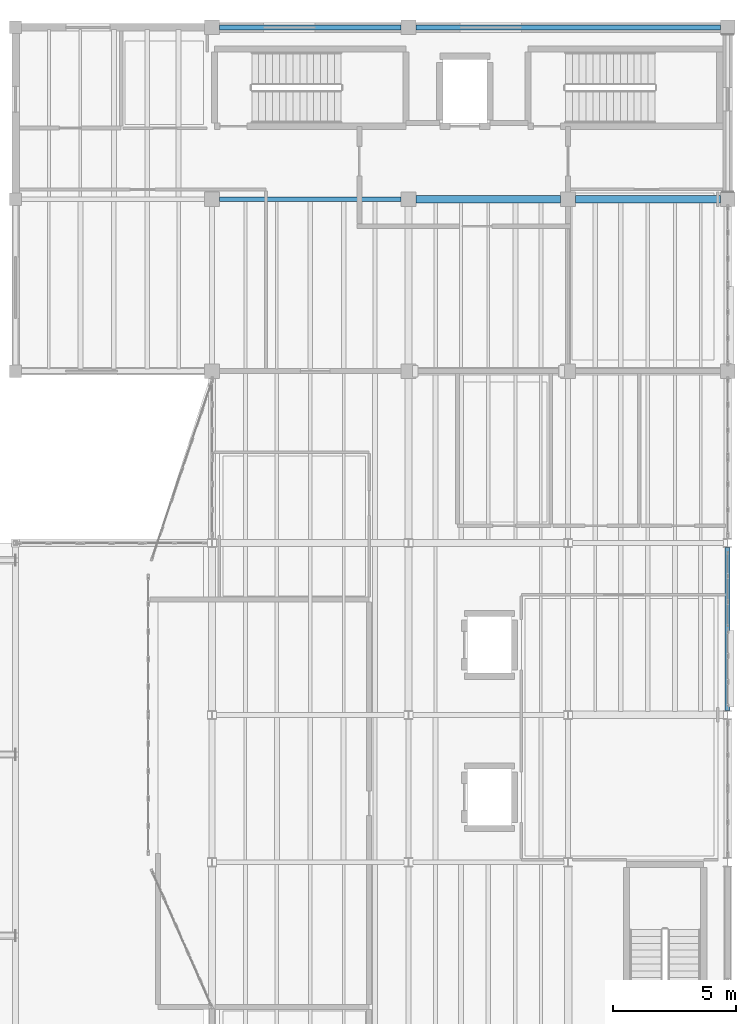
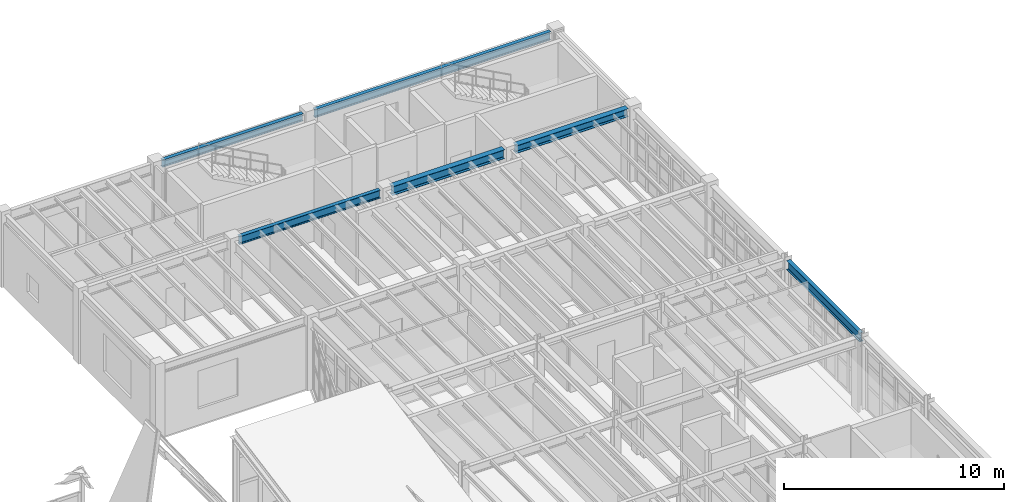
# One storey, part 41 of 77: 6 beams.
"""IFC4 building model written with IfcOpenShell, lengths in metres."""

from ifc_helpers import new_model, si_unit, direction, frame, origin, origin_2d, place, context, subcontext, project, spatial, i_section, extrude, material, material_profile, profile_set, type_object, element, save


model = new_model("IFC4")

# Units and contexts
model_context = context("Model", 3, precision=1e-05, world=origin(), true_north=direction((0.0, 1.0)))
body_context = subcontext(model_context, "Body", "Model", "MODEL_VIEW")
ifc_project = project(units=[si_unit("LENGTHUNIT", "METRE"), si_unit("AREAUNIT", "SQUARE_METRE"), si_unit("VOLUMEUNIT", "CUBIC_METRE"), si_unit("PLANEANGLEUNIT", "RADIAN"), si_unit("MASSUNIT", "GRAM", prefix="KILO"), si_unit("THERMODYNAMICTEMPERATUREUNIT", "KELVIN"), si_unit("POWERUNIT", "WATT")], contexts=[model_context])

# Site, building, storey
site_placement = place(None, origin())
site = spatial("IfcSite", under=ifc_project, at=site_placement, CompositionType="ELEMENT")
building_placement = place(site_placement, origin())
building = spatial("IfcBuilding", under=site, at=building_placement, Name="Zhenchuan Central Fire Station", CompositionType="ELEMENT")
storey_placement = place(building_placement, frame((0.0, 0.0, 10.050048828125)))
storey = spatial("IfcBuildingStorey", under=building, at=storey_placement, Name="L03", CompositionType="ELEMENT", Elevation=10.050048828125)

# Beams
ifc_material = material(Name="Steel Q355B", Category="steel")
ifc_material_profile_1 = material_profile(ifc_material, i_section(OverallWidth=0.300048828125, OverallDepth=0.43994140625, WebThickness=0.010986328125, FlangeThickness=0.01806640625, FilletRadius=0.02197265625, at=origin_2d()), Name="HM 440x300")
ifc_profile_set_1 = profile_set([ifc_material_profile_1], Name="Steel Q355B")
beam_type_1 = type_object("IfcBeamType", Name="BM-HM440-INT", PredefinedType="BEAM", material=ifc_profile_set_1)
beam_1_placement = place(storey_placement, frame((154.800048828125, 49.5, 3.780029296875), z_axis=(1.0, 0.0, 0.0), x_axis=(0.0, 1.0, 0.0)))
element("IfcBeam", 1, at=beam_1_placement, inside=storey, type_object=beam_type_1, Name="L04 Girder EW 0381", PredefinedType="BEAM", context=body_context, shape_type="SweptSolid", body=[
    extrude(i_section(OverallWidth=0.300048828125, OverallDepth=0.43994140625, WebThickness=0.010986328125, FlangeThickness=0.01806640625, FilletRadius=0.02197265625, at=origin_2d()), origin(), (0.0, 0.0, 1.0), 5.89990234375),
])
ifc_material_profile_2 = material_profile(ifc_material, i_section(OverallWidth=0.300048828125, OverallDepth=0.5, WebThickness=0.010986328125, FlangeThickness=0.01806640625, FilletRadius=0.02197265625, at=origin_2d()), Name="HM 500x300")
ifc_profile_set_2 = profile_set([ifc_material_profile_2], Name="Steel Q355B")
beam_type_2 = type_object("IfcBeamType", Name="BM-HM500-INT", PredefinedType="BEAM", material=ifc_profile_set_2)
beam_2_placement = place(storey_placement, frame((148.300048828125, 49.5, 3.75), z_axis=(1.0, 0.0, 0.0), x_axis=(0.0, 1.0, 0.0)))
element("IfcBeam", 2, at=beam_2_placement, inside=storey, type_object=beam_type_2, Name="L04 Girder EW 0380", PredefinedType="BEAM", context=body_context, shape_type="SweptSolid", body=[
    extrude(i_section(OverallWidth=0.300048828125, OverallDepth=0.5, WebThickness=0.010986328125, FlangeThickness=0.01806640625, FilletRadius=0.02197265625, at=origin_2d()), origin(), (0.0, 0.0, 1.0), 5.89990234375),
])
ifc_material_profile_3 = material_profile(ifc_material, i_section(OverallWidth=0.199951171875, OverallDepth=0.449951171875, WebThickness=0.009033203125, FlangeThickness=0.013916015625, FilletRadius=0.01806640625, at=origin_2d()), Name="HN 450x200")
ifc_profile_set_3 = profile_set([ifc_material_profile_3], Name="Steel Q355B")
beam_type_3 = type_object("IfcBeamType", Name="BM-HN450", PredefinedType="BEAM", material=ifc_profile_set_3)
beam_3_placement = place(storey_placement, frame((140.300048828125, 49.5, 3.77490234375), z_axis=(1.0, 0.0, 0.0), x_axis=(0.0, 1.0, 0.0)))
element("IfcBeam", 3, at=beam_3_placement, inside=storey, type_object=beam_type_3, Name="L04 Girder EW 0379", PredefinedType="BEAM", context=body_context, shape_type="SweptSolid", body=[
    extrude(i_section(OverallWidth=0.199951171875, OverallDepth=0.449951171875, WebThickness=0.009033203125, FlangeThickness=0.013916015625, FilletRadius=0.01806640625, at=origin_2d()), origin(), (0.0, 0.0, 1.0), 7.39990234375),
])
ifc_material_profile_4 = material_profile(ifc_material, i_section(OverallWidth=0.199951171875, OverallDepth=0.449951171875, WebThickness=0.009033203125, FlangeThickness=0.013916015625, FilletRadius=0.01806640625, at=origin_2d()), Name="HN 450x200")
ifc_profile_set_4 = profile_set([ifc_material_profile_4], Name="Steel Q355B")
beam_type_4 = type_object("IfcBeamType", Name="BM-HN450-EXT", PredefinedType="BEAM", material=ifc_profile_set_4)
beam_4_placement = place(storey_placement, frame((148.300048828125, 56.5, 3.77490234375), z_axis=(1.0, 0.0, 0.0), x_axis=(0.0, 1.0, 0.0)))
element("IfcBeam", 4, at=beam_4_placement, inside=storey, type_object=beam_type_4, Name="L04 Girder EW 0390", PredefinedType="BEAM", context=body_context, shape_type="SweptSolid", body=[
    extrude(i_section(OverallWidth=0.199951171875, OverallDepth=0.449951171875, WebThickness=0.009033203125, FlangeThickness=0.013916015625, FilletRadius=0.01806640625, at=origin_2d()), origin(), (0.0, 0.0, 1.0), 12.39990234375),
])
ifc_material_profile_5 = material_profile(ifc_material, i_section(OverallWidth=0.199951171875, OverallDepth=0.39990234375, WebThickness=0.008056640625, FlangeThickness=0.012939453125, FilletRadius=0.01611328125, at=origin_2d()), Name="HN 400x200")
ifc_profile_set_5 = profile_set([ifc_material_profile_5], Name="Steel Q355B")
beam_type_5 = type_object("IfcBeamType", Name="SP-HN400", PredefinedType="SPANDREL", material=ifc_profile_set_5)
beam_5_placement = place(storey_placement, frame((140.300048828125, 56.5, 3.800048828125), z_axis=(1.0, 0.0, 0.0), x_axis=(0.0, 1.0, 0.0)))
element("IfcBeam", 5, at=beam_5_placement, inside=storey, type_object=beam_type_5, Name="L04 Girder EW 0389", PredefinedType="SPANDREL", context=body_context, shape_type="SweptSolid", body=[
    extrude(i_section(OverallWidth=0.199951171875, OverallDepth=0.39990234375, WebThickness=0.008056640625, FlangeThickness=0.012939453125, FilletRadius=0.01611328125, at=origin_2d()), origin(), (0.0, 0.0, 1.0), 7.39990234375),
])
ifc_material_profile_6 = material_profile(ifc_material, i_section(OverallWidth=0.199951171875, OverallDepth=0.5, WebThickness=0.010009765625, FlangeThickness=0.01611328125, FilletRadius=0.02001953125, at=origin_2d()), Name="HN 500x200")
ifc_profile_set_6 = profile_set([ifc_material_profile_6], Name="Steel Q355B")
beam_type_6 = type_object("IfcBeamType", Name="SP-HN500", PredefinedType="SPANDREL", material=ifc_profile_set_6)
beam_6_placement = place(storey_placement, frame((161.0, 28.675048828125, 3.75), z_axis=(0.0, 1.0, 0.0), x_axis=(-1.0, 0.0, 0.0)))
element("IfcBeam", 6, at=beam_6_placement, inside=storey, type_object=beam_type_6, Name="L04 Girder NS 0427", PredefinedType="SPANDREL", context=body_context, shape_type="SweptSolid", body=[
    extrude(i_section(OverallWidth=0.199951171875, OverallDepth=0.5, WebThickness=0.010009765625, FlangeThickness=0.01611328125, FilletRadius=0.02001953125, at=origin_2d()), origin(), (0.0, 0.0, 1.0), 6.64990234375),
])

save(model, "model.ifc")
